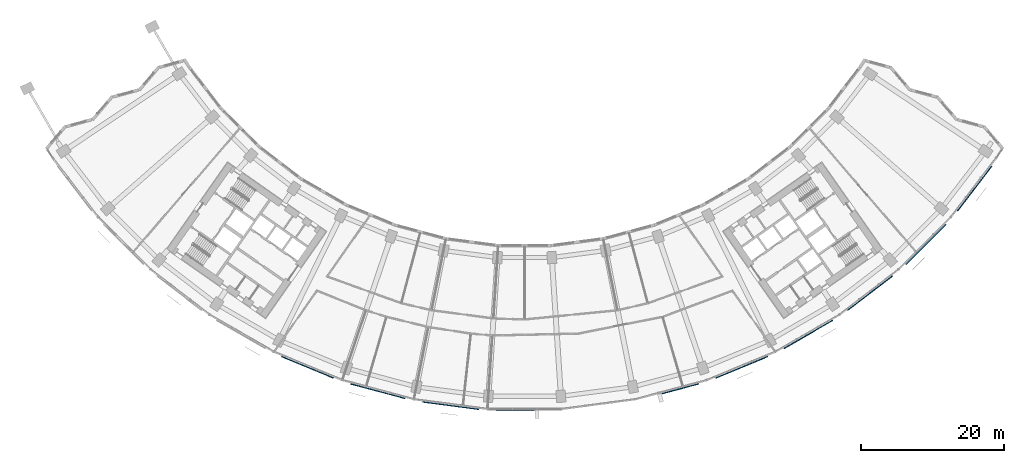
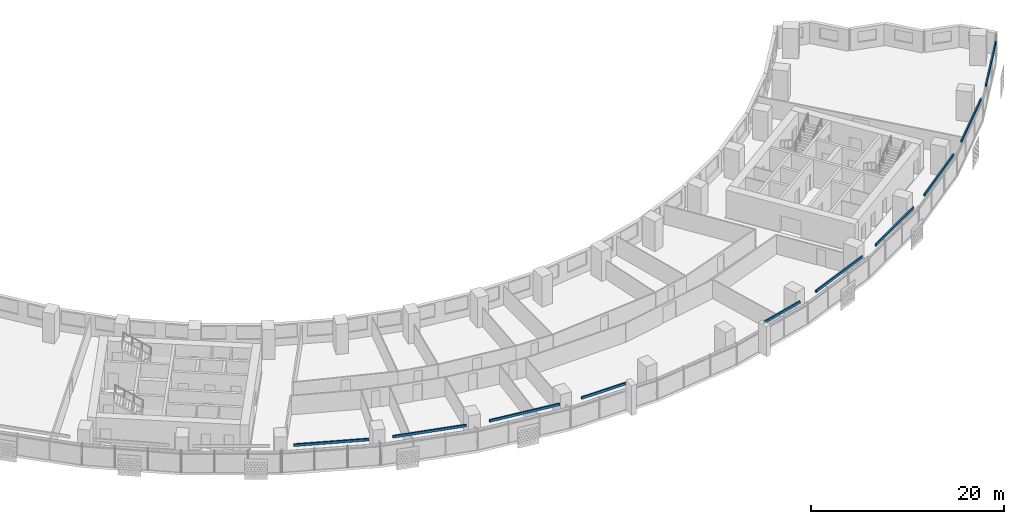
# One storey, part 9 of 29: 10 discrete accessories.
"""IFC4 building model written with IfcOpenShell, lengths in metres."""

from ifc_helpers import new_model, si_unit, direction, frame, origin, origin_2d, place, context, subcontext, project, spatial, rectangle, extrude, material, type_object, element, save


model = new_model("IFC4")

# Units and contexts
model_context = context("Model", 3, precision=1e-05, world=origin(), true_north=direction((0.0, 1.0)))
body_context = subcontext(model_context, "Body", "Model", "MODEL_VIEW")
ifc_project = project(units=[si_unit("LENGTHUNIT", "METRE"), si_unit("AREAUNIT", "SQUARE_METRE"), si_unit("VOLUMEUNIT", "CUBIC_METRE"), si_unit("PLANEANGLEUNIT", "RADIAN"), si_unit("MASSUNIT", "GRAM", prefix="KILO")], contexts=[model_context])

# Site, building, storey
site_placement = place(None, origin())
site = spatial("IfcSite", under=ifc_project, at=site_placement, CompositionType="ELEMENT")
building_placement = place(site_placement, origin())
building = spatial("IfcBuilding", under=site, at=building_placement, Name="Qamariyya Broadcast Tower", CompositionType="ELEMENT")
storey_placement = place(building_placement, frame((0.0, 0.0, 44.300048828125)))
storey = spatial("IfcBuildingStorey", under=building, at=storey_placement, Name="L07", CompositionType="ELEMENT", Elevation=44.300048828125)

# Discrete accessories
ifc_material = material(Name="Stainless steel 316", Category="steel")
discrete_accessory_type = type_object("IfcDiscreteAccessoryType", Name="Slab edge fixing angle, stainless steel", PredefinedType="BRACKET", material=ifc_material)
for number, where, z_axis, x_axis, name in (
    (1, (-30.444091796875, -73.498779296875, 3.2998046875), (0.0, 0.0, 1.0), (0.923879532511, -0.382683432365, 0.0), "e-br-L07-05-0"),
    (2, (-20.59033203125, -76.84375, 3.2998046875), (0.0, 0.0, 1.0), (0.965925826289, -0.258819045103, 0.0), "e-br-L07-06-0"),
    (3, (-10.384033203125, -78.873779296875, 3.2998046875), (0.0, 0.0, 1.0), (0.991444861374, -0.13052619222, 0.0), "e-br-L07-07-0"),
):
    element("IfcDiscreteAccessory", number, at=place(storey_placement, frame(where, z_axis=z_axis, x_axis=x_axis)), inside=storey, type_object=discrete_accessory_type, Name=name, PredefinedType="BRACKET", context=body_context, shape_type="SweptSolid", body=[
        extrude(rectangle(XDim=7.9140625, YDim=0.14990234375, at=origin_2d()), origin(), (0.0, 0.0, 1.0), 0.300048828125),
    ])
for number, where, z_axis, x_axis, name in (
    (4, (-1.30224609375, -79.554443359375, 3.2998046875), (0.0, 0.0, 1.0), (1.0, 0.0, 0.0), "e-br-L07-08-0"),
    (5, (21.84814453125, -76.506591796875, 3.2998046875), (0.0, 0.0, 1.0), (0.965925826289, 0.258819045103, 0.0), "e-br-L07-10-0"),
):
    element("IfcDiscreteAccessory", number, at=place(storey_placement, frame(where, z_axis=z_axis, x_axis=x_axis)), inside=storey, type_object=discrete_accessory_type, Name=name, PredefinedType="BRACKET", context=body_context, shape_type="SweptSolid", body=[
        extrude(rectangle(XDim=5.309326171875, YDim=0.14990234375, at=origin_2d()), origin(), (0.0, 0.0, 1.0), 0.300048828125),
    ])
for number, where, z_axis, x_axis, name in (
    (6, (30.444091796875, -73.498779296875, 3.2998046875), (0.0, 0.0, 1.0), (0.923879532511, 0.382683432365, 0.0), "e-br-L07-11-0"),
    (7, (39.77734375, -68.896240234375, 3.2998046875), (0.0, 0.0, 1.0), (0.866025403784, 0.5, 0.0), "e-br-L07-12-0"),
    (8, (48.4296875, -63.11474609375, 3.2998046875), (0.0, 0.0, 1.0), (0.793353340291, 0.608761429009, 0.0), "e-br-L07-13-0"),
    (9, (56.25341796875, -56.25341796875, 3.2998046875), (0.0, 0.0, 1.0), (0.707106781187, 0.707106781187, 0.0), "e-br-L07-14-0"),
    (10, (63.11474609375, -48.4296875, 3.2998046875), (0.0, 0.0, 1.0), (0.608761429009, 0.793353340291, 0.0), "e-br-L07-15-0"),
):
    element("IfcDiscreteAccessory", number, at=place(storey_placement, frame(where, z_axis=z_axis, x_axis=x_axis)), inside=storey, type_object=discrete_accessory_type, Name=name, PredefinedType="BRACKET", context=body_context, shape_type="SweptSolid", body=[
        extrude(rectangle(XDim=7.9140625, YDim=0.14990234375, at=origin_2d()), origin(), (0.0, 0.0, 1.0), 0.300048828125),
    ])

save(model, "model.ifc")
